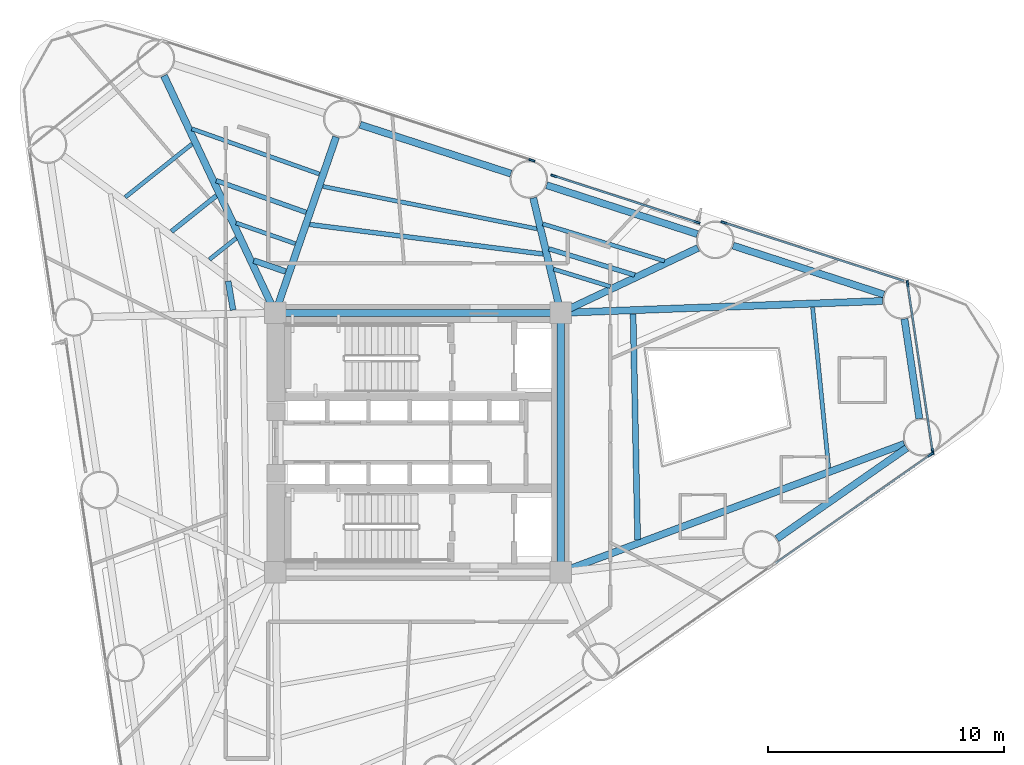
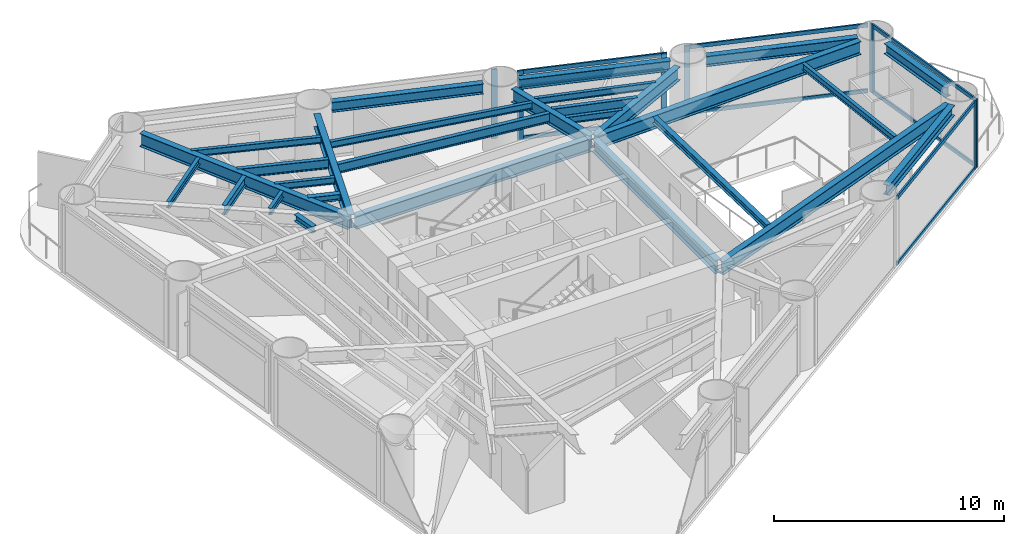
# One storey, part 3 of 9: 28 beams, 16 members, 5 elements without a shape of their own.
"""IFC4 building model written with IfcOpenShell, lengths in metres."""

import ifcopenshell
import ifcopenshell.guid

model = None  # the IFC model being written
_history = None  # IfcOwnerHistory: only IFC2X3 demands one
_inside = {}  # id of a spatial element -> (the spatial element, [elements in it])
_under = {}  # id of a project, library or spatial element -> (it, [spatial elements below it])
_declared = {}  # id of a project -> (the project, [libraries it declares])
_typed = {}  # id of a type object -> (the type object, [elements of that type])
_made_of = {}  # id of a material, layer set ... -> (it, [elements and type objects made of it])


def new_model(schema):
    """Start an empty IFC model of exactly this schema.

    Asked for "IFC4X3", IfcOpenShell would pick the latest addendum, in which some entities
    have other attributes; the version numbers below select the first issue.
    IFC2X3 requires an IfcOwnerHistory on every rooted entity: one is made here for all.
    """
    global model, _history
    if schema == "IFC4X3":
        model = ifcopenshell.file(schema_version=(4, 3, 0, 0))
    else:
        model = ifcopenshell.file(schema=schema)
    _inside.clear()
    _under.clear()
    _declared.clear()
    _typed.clear()
    _made_of.clear()
    _history = None
    if model.schema == "IFC2X3":
        org = make("IfcOrganization", Name="unknown")
        user = make(
            "IfcPersonAndOrganization",
            ThePerson=make("IfcPerson", FamilyName="unknown"),
            TheOrganization=org,
        )
        app = make(
            "IfcApplication",
            ApplicationDeveloper=org,
            Version="unknown",
            ApplicationFullName="unknown",
            ApplicationIdentifier="unknown",
        )
        _history = make(
            "IfcOwnerHistory",
            OwningUser=user,
            OwningApplication=app,
            ChangeAction="ADDED",
            CreationDate=0,
        )
    return model


def make(cls, **values):
    """One entity of the class cls with the attributes given. An attribute that is None is left unset."""
    return model.create_entity(
        cls, **{name: value for name, value in values.items() if value is not None}
    )


def rooted(cls, **values):
    """An entity with a GlobalId (a new one), such as an element, a storey or a relation."""
    return make(cls, GlobalId=ifcopenshell.guid.new(), OwnerHistory=_history, **values)


def si_unit(unit_type, name, prefix=None):
    """IfcSIUnit, for example si_unit("LENGTHUNIT", "METRE", prefix="MILLI")."""
    return make("IfcSIUnit", UnitType=unit_type, Prefix=prefix, Name=name)


def assignment(units):
    """IfcUnitAssignment: the units of a project."""
    return None if units is None else make("IfcUnitAssignment", Units=units)


def point(xyz):
    """IfcCartesianPoint."""
    return None if xyz is None else make("IfcCartesianPoint", Coordinates=xyz)


def direction(xyz):
    """IfcDirection."""
    return None if xyz is None else make("IfcDirection", DirectionRatios=xyz)


def frame(location, z_axis=None, x_axis=None):
    """IfcAxis2Placement3D, a coordinate frame: its origin and axes. An axis left out is left unset."""
    return make(
        "IfcAxis2Placement3D",
        Location=point(location),
        Axis=direction(z_axis),
        RefDirection=direction(x_axis),
    )


def frame_2d(location, x_axis=None):
    """IfcAxis2Placement2D, a coordinate frame in the plane: its origin and x axis."""
    return make(
        "IfcAxis2Placement2D", Location=point(location), RefDirection=direction(x_axis)
    )


def origin():
    """The frame at (0, 0, 0) with its axes left unset."""
    return frame((0.0, 0.0, 0.0))


def origin_2d():
    """The frame at (0, 0) in the plane with its x axis left unset."""
    return frame_2d((0.0, 0.0))


def place(relative_to, where):
    """IfcLocalPlacement: puts the frame where relative to a parent placement (None: the world)."""
    return make(
        "IfcLocalPlacement", PlacementRelTo=relative_to, RelativePlacement=where
    )


def context(
    kind, dimensions, precision=None, world=None, true_north=None, identifier=None
):
    """IfcGeometricRepresentationContext, for example the 3D "Model" context."""
    return make(
        "IfcGeometricRepresentationContext",
        ContextIdentifier=identifier,
        ContextType=kind,
        CoordinateSpaceDimension=dimensions,
        Precision=precision,
        WorldCoordinateSystem=world,
        TrueNorth=true_north,
    )


def subcontext(parent, identifier, kind, view, scale=None):
    """IfcGeometricRepresentationSubContext, for example "Body" below "Model"."""
    return make(
        "IfcGeometricRepresentationSubContext",
        ContextIdentifier=identifier,
        ContextType=kind,
        ParentContext=parent,
        TargetScale=scale,
        TargetView=view,
    )


def project(units=None, contexts=None):
    """IfcProject with its units and contexts."""
    return rooted(
        "IfcProject",
        Name="project",
        RepresentationContexts=contexts,
        UnitsInContext=assignment(units),
    )


def spatial(cls, under=None, at=None, **own):
    """A site, building, storey or space (cls), placed at a placement, below another one or the project."""
    s = rooted(cls, ObjectPlacement=at, **own)
    if under is not None:
        _under.setdefault(under.id(), (under, []))[1].append(s)
    return s


def profile(cls, at=None, kind="AREA", **sizes):
    """A parametric profile (cls). Its sizes go by their IFC names, for example OverallWidth=200.0."""
    return make(cls, ProfileType=kind, Position=at, **sizes)


def rectangle(**sizes):
    """IfcRectangleProfileDef."""
    return profile("IfcRectangleProfileDef", **sizes)


def i_section(**sizes):
    """IfcIShapeProfileDef."""
    return profile("IfcIShapeProfileDef", **sizes)


def extrude(swept, where, along, depth):
    """IfcExtrudedAreaSolid: the profile swept, set in the frame where, extruded along a direction by depth."""
    return make(
        "IfcExtrudedAreaSolid",
        SweptArea=swept,
        Position=where,
        ExtrudedDirection=direction(along),
        Depth=depth,
    )


def shape(context_of_items, identifier, shape_type, items):
    """IfcShapeRepresentation: the items that make up one representation, for example the "Body"."""
    return make(
        "IfcShapeRepresentation",
        ContextOfItems=context_of_items,
        RepresentationIdentifier=identifier,
        RepresentationType=shape_type,
        Items=items,
    )


def source(mapping_origin, context_of_items, identifier, shape_type, items):
    """IfcRepresentationMap: a shape defined once, which mapped items show again and again."""
    return make(
        "IfcRepresentationMap",
        MappingOrigin=mapping_origin,
        MappedRepresentation=shape(context_of_items, identifier, shape_type, items),
    )


def transform(
    local_origin,
    x_axis=None,
    y_axis=None,
    z_axis=None,
    scale=None,
    scale2=None,
    scale3=None,
    uniform=True,
):
    """IfcCartesianTransformationOperator3D, or its non-uniform kind. x_axis, y_axis, z_axis: its Axis1, 2, 3."""
    if uniform:
        return make(
            "IfcCartesianTransformationOperator3D",
            Axis1=direction(x_axis),
            Axis2=direction(y_axis),
            LocalOrigin=point(local_origin),
            Scale=scale,
            Axis3=direction(z_axis),
        )
    return make(
        "IfcCartesianTransformationOperator3DnonUniform",
        Axis1=direction(x_axis),
        Axis2=direction(y_axis),
        LocalOrigin=point(local_origin),
        Scale=scale,
        Axis3=direction(z_axis),
        Scale2=scale2,
        Scale3=scale3,
    )


def mapped(mapping_source, mapping_target):
    """IfcMappedItem: shows the shape of a source again, moved by a transform."""
    return make(
        "IfcMappedItem", MappingSource=mapping_source, MappingTarget=mapping_target
    )


def material(Name=None, Category=None):
    """IfcMaterial."""
    return make("IfcMaterial", Name=Name, Category=Category)


def layer(
    of_material, thickness, ventilated=None, Name=None, Category=None, Priority=None
):
    """IfcMaterialLayer: one layer of a wall or slab, of a material (None: an air gap)."""
    return make(
        "IfcMaterialLayer",
        Material=of_material,
        LayerThickness=thickness,
        IsVentilated=ventilated,
        Name=Name,
        Category=Category,
        Priority=Priority,
    )


def layer_set(layers, Name=None):
    """IfcMaterialLayerSet."""
    return make("IfcMaterialLayerSet", MaterialLayers=layers, LayerSetName=Name)


def material_profile(
    of_material, cross_section, Name=None, Category=None, Priority=None
):
    """IfcMaterialProfile: a cross section and its material."""
    return make(
        "IfcMaterialProfile",
        Name=Name,
        Material=of_material,
        Profile=cross_section,
        Priority=Priority,
        Category=Category,
    )


def profile_set(profiles, Name=None, composite=None):
    """IfcMaterialProfileSet."""
    return make(
        "IfcMaterialProfileSet",
        Name=Name,
        MaterialProfiles=profiles,
        CompositeProfile=composite,
    )


def made_of(thing, what):
    """Note that an element or type object is made of a material, layer set ...; save() writes the relation."""
    if what is not None:
        _made_of.setdefault(what.id(), (what, []))[1].append(thing)
    return thing


def type_object(cls, material=None, **own):
    """A type object (cls), such as IfcWallType, which elements share."""
    return made_of(rooted(cls, **own), material)


def element(
    cls,
    number,
    at=None,
    inside=None,
    cuts=None,
    type_object=None,
    material=None,
    context=None,
    identifier="Body",
    shape_type=None,
    held_by="IfcProductDefinitionShape",
    body=None,
    shapes=None,
    **own,
):
    """One element of the class cls, such as IfcWall. Its Tag is "e" and its number.

    at: its placement. inside: the storey or other place that contains it. cuts: it is an
    opening in that element (IfcRelVoidsElement). A single representation is given by context,
    identifier, shape_type and body (its items); several are given by shapes. held_by: the class
    of the entity that holds the representations. save() writes the other relations.
    """
    e = rooted(cls, Tag="e%d" % number, ObjectPlacement=at, **own)
    if body is not None:
        shapes = [shape(context, identifier, shape_type, body)]
    if shapes is not None:
        e.Representation = make(held_by, Representations=shapes)
    if inside is not None:
        _inside.setdefault(inside.id(), (inside, []))[1].append(e)
    if cuts is not None:
        rooted(
            "IfcRelVoidsElement", RelatingBuildingElement=cuts, RelatedOpeningElement=e
        )
    if type_object is not None:
        _typed.setdefault(type_object.id(), (type_object, []))[1].append(e)
    return made_of(e, material)


def aggregate(whole, parts):
    """IfcRelAggregates: a whole, such as a stair, and the parts it consists of."""
    return rooted("IfcRelAggregates", RelatingObject=whole, RelatedObjects=parts)


def save(model, path):
    """Write the relations noted so far, then the file.

    IfcRelAggregates (storeys below a building ...), IfcRelContainedInSpatialStructure (elements
    in a storey), IfcRelDefinesByType, IfcRelAssociatesMaterial and IfcRelDeclares: one each for
    every whole, place, type object, material and project.
    """
    for whole, parts in _under.values():
        aggregate(whole, parts)
    for where, things in _inside.values():
        rooted(
            "IfcRelContainedInSpatialStructure",
            RelatedElements=things,
            RelatingStructure=where,
        )
    for kind, things in _typed.values():
        rooted("IfcRelDefinesByType", RelatedObjects=things, RelatingType=kind)
    for what, things in _made_of.values():
        rooted("IfcRelAssociatesMaterial", RelatedObjects=things, RelatingMaterial=what)
    for by, libraries in _declared.values():
        rooted("IfcRelDeclares", RelatingContext=by, RelatedDefinitions=libraries)
    model.write(path)


model = new_model("IFC4")

# Units and contexts
model_context = context("Model", 3, precision=1e-05, world=origin(), true_north=direction((0.0, 1.0)))
body_context = subcontext(model_context, "Body", "Model", "MODEL_VIEW")
ifc_project = project(units=[si_unit("LENGTHUNIT", "METRE"), si_unit("AREAUNIT", "SQUARE_METRE"), si_unit("VOLUMEUNIT", "CUBIC_METRE"), si_unit("PLANEANGLEUNIT", "RADIAN"), si_unit("MASSUNIT", "GRAM", prefix="KILO")], contexts=[model_context])

# Site, building, storey
site_placement = place(None, origin())
site = spatial("IfcSite", under=ifc_project, at=site_placement, CompositionType="ELEMENT")
building_placement = place(site_placement, origin())
building = spatial("IfcBuilding", under=site, at=building_placement, Name="Yunling Apex Tower", CompositionType="ELEMENT")
storey_placement = place(building_placement, frame((0.0, 0.0, 77.300048828125)))
storey = spatial("IfcBuildingStorey", under=building, at=storey_placement, Name="L20", CompositionType="ELEMENT", Elevation=77.300048828125)

# Beams
ifc_material_1 = material(Name="Steel Q355B", Category="steel")
ifc_material_profile_1 = material_profile(ifc_material_1, i_section(OverallWidth=0.300048828125, OverallDepth=0.699951171875, WebThickness=0.012939453125, FlangeThickness=0.02392578125, FilletRadius=0.02587890625, at=origin_2d()))
ifc_profile_set_1 = profile_set([ifc_material_profile_1], Name="Steel Q355B")
beam_type_1 = type_object("IfcBeamType", Name="BG-PRI-3", PredefinedType="USERDEFINED", material=ifc_profile_set_1)
shared_shape_1 = source(origin(), body_context, "Body", "SweptSolid", [
    extrude(i_section(OverallWidth=0.300048828125, OverallDepth=0.699951171875, WebThickness=0.012939453125, FlangeThickness=0.02392578125, FilletRadius=0.02587890625, at=origin_2d()), origin(), (0.0, 0.0, 1.0), 11.7998046875),
])
beam_1_placement = place(storey_placement, frame((5.89990234375, 5.5, 3.21484375), z_axis=(-1.0, 0.0, 0.0), x_axis=(0.0, -1.0, 0.0)))
element("IfcBeam", 1, at=beam_1_placement, inside=storey, type_object=beam_type_1, Name="L20 Core Ring Tie Beam 3", ObjectType="GIRDER", PredefinedType="USERDEFINED", context=body_context, shape_type="MappedRepresentation", body=[
    mapped(shared_shape_1, transform((0.0, 0.0, 0.0), scale=1.0)),
])
shared_shape_2 = source(origin(), body_context, "Body", "SweptSolid", [
    extrude(i_section(OverallWidth=0.300048828125, OverallDepth=0.699951171875, WebThickness=0.012939453125, FlangeThickness=0.02392578125, FilletRadius=0.02587890625, at=origin_2d()), origin(), (0.0, 0.0, 1.0), 10.7001953125),
])
beam_2_placement = place(storey_placement, frame((6.050048828125, -5.35009765625, 3.21484375), z_axis=(0.0, 1.0, 0.0), x_axis=(-1.0, 0.0, 0.0)))
element("IfcBeam", 2, at=beam_2_placement, inside=storey, type_object=beam_type_1, Name="L20 Core Ring Tie Beam 2", ObjectType="GIRDER", PredefinedType="USERDEFINED", context=body_context, shape_type="MappedRepresentation", body=[
    mapped(shared_shape_2, transform((0.0, 0.0, 0.0), scale=1.0)),
])
ifc_material_profile_2 = material_profile(ifc_material_1, i_section(OverallWidth=0.300048828125, OverallDepth=0.5400390625, WebThickness=0.011962890625, FlangeThickness=0.02001953125, FilletRadius=0.02392578125, at=origin_2d()))
ifc_profile_set_2 = profile_set([ifc_material_profile_2], Name="Steel Q355B")
beam_type_2 = type_object("IfcBeamType", Name="BP-SPN-1", PredefinedType="SPANDREL", material=ifc_profile_set_2)
shared_shape_3 = source(origin(), body_context, "Body", "SweptSolid", [
    extrude(i_section(OverallWidth=0.300048828125, OverallDepth=0.5400390625, WebThickness=0.011962890625, FlangeThickness=0.02001953125, FilletRadius=0.02392578125, at=origin_2d()), origin(), (0.0, 0.0, 1.0), 6.721435546875),
])
for number, where, z_axis, x_axis, name in (
    (3, (15.212158203125, -4.08056640625, 3.294921875), (0.81955772083, 0.572996633697, 0.0), (-0.572996633697, 0.81955772083, 0.0), "L20 Perimeter Spandrel Beam 4"),
    (4, (19.748291015625, 6.277099609375, 3.294921875), (-0.95126256707, 0.308382114415, 0.0), (-0.308382114415, -0.95126256707, 0.0), "L20 Perimeter Spandrel Beam 6"),
    (5, (3.939453125, 11.401611328125, 3.294921875), (-0.95126256707, 0.308382114415, 0.0), (-0.308382114415, -0.95126256707, 0.0), "L20 Perimeter Spandrel Beam 8"),
):
    element("IfcBeam", number, at=place(storey_placement, frame(where, z_axis=z_axis, x_axis=x_axis)), inside=storey, type_object=beam_type_2, Name=name, PredefinedType="SPANDREL", context=body_context, shape_type="MappedRepresentation", body=[
        mapped(shared_shape_3, transform((0.0, 0.0, 0.0), scale=1.0)),
    ])
shared_shape_4 = source(origin(), body_context, "Body", "SweptSolid", [
    extrude(i_section(OverallWidth=0.300048828125, OverallDepth=0.5400390625, WebThickness=0.011962890625, FlangeThickness=0.02001953125, FilletRadius=0.02392578125, at=origin_2d()), origin(), (0.0, 0.0, 1.0), 4.283203125),
])
beam_3_placement = place(storey_placement, frame((21.25390625, 1.010986328125, 3.294921875), z_axis=(-0.147802479388, 0.989016899293, 0.0), x_axis=(-0.989016899293, -0.147802479388, 0.0)))
element("IfcBeam", 6, at=beam_3_placement, inside=storey, type_object=beam_type_2, Name="L20 Perimeter Spandrel Beam 5", PredefinedType="SPANDREL", context=body_context, shape_type="MappedRepresentation", body=[
    mapped(shared_shape_4, transform((0.0, 0.0, 0.0), scale=1.0)),
])
shared_shape_5 = source(origin(), body_context, "Body", "SweptSolid", [
    extrude(i_section(OverallWidth=0.300048828125, OverallDepth=0.5400390625, WebThickness=0.011962890625, FlangeThickness=0.02001953125, FilletRadius=0.02392578125, at=origin_2d()), origin(), (0.0, 0.0, 1.0), 6.72119140625),
])
beam_4_placement = place(storey_placement, frame((11.84375, 8.83935546875, 3.294921875), z_axis=(-0.951259112593, 0.308392770197, 0.0), x_axis=(-0.308392770197, -0.951259112593, 0.0)))
element("IfcBeam", 7, at=beam_4_placement, inside=storey, type_object=beam_type_2, Name="L20 Perimeter Spandrel Beam 7", PredefinedType="SPANDREL", context=body_context, shape_type="MappedRepresentation", body=[
    mapped(shared_shape_5, transform((0.0, 0.0, 0.0), scale=1.0)),
])
shared_shape_6 = source(origin(), body_context, "Body", "SweptSolid", [
    extrude(i_section(OverallWidth=0.300048828125, OverallDepth=0.699951171875, WebThickness=0.012939453125, FlangeThickness=0.02392578125, FilletRadius=0.02587890625, at=origin_2d()), origin(), (0.0, 0.0, 1.0), 15.46826171875),
])
beam_5_placement = place(storey_placement, frame((20.614501953125, -0.05712890625, 3.21484375), z_axis=(-0.936727481876, -0.350059458804, 0.0), x_axis=(0.350059458804, -0.936727481876, 0.0)))
element("IfcBeam", 8, at=beam_5_placement, inside=storey, type_object=beam_type_1, Name="L20 Radial Primary Girder R05", ObjectType="GIRDER", PredefinedType="USERDEFINED", context=body_context, shape_type="MappedRepresentation", body=[
    mapped(shared_shape_6, transform((0.0, 0.0, 0.0), scale=1.0)),
])
shared_shape_7 = source(origin(), body_context, "Body", "SweptSolid", [
    extrude(i_section(OverallWidth=0.300048828125, OverallDepth=0.699951171875, WebThickness=0.012939453125, FlangeThickness=0.02392578125, FilletRadius=0.02587890625, at=origin_2d()), origin(), (0.0, 0.0, 1.0), 13.575439453125),
])
beam_6_placement = place(storey_placement, frame((19.696044921875, 6.002685546875, 3.21484375), z_axis=(-0.99932215556, -0.036813440575, 0.0), x_axis=(0.036813440575, -0.99932215556, 0.0)))
element("IfcBeam", 9, at=beam_6_placement, inside=storey, type_object=beam_type_1, Name="L20 Radial Primary Girder R06", ObjectType="GIRDER", PredefinedType="USERDEFINED", context=body_context, shape_type="MappedRepresentation", body=[
    mapped(shared_shape_7, transform((0.0, 0.0, 0.0), scale=1.0)),
])
shared_shape_8 = source(origin(), body_context, "Body", "SweptSolid", [
    extrude(i_section(OverallWidth=0.300048828125, OverallDepth=0.699951171875, WebThickness=0.012939453125, FlangeThickness=0.02392578125, FilletRadius=0.02587890625, at=origin_2d()), origin(), (0.0, 0.0, 1.0), 6.35546875),
])
beam_7_placement = place(storey_placement, frame((11.86865234375, 8.24951171875, 3.21484375), z_axis=(-0.90414025985, -0.427235755196, 0.0), x_axis=(0.427235755196, -0.90414025985, 0.0)))
element("IfcBeam", 10, at=beam_7_placement, inside=storey, type_object=beam_type_1, Name="L20 Radial Primary Girder R07", ObjectType="GIRDER", PredefinedType="USERDEFINED", context=body_context, shape_type="MappedRepresentation", body=[
    mapped(shared_shape_8, transform((0.0, 0.0, 0.0), scale=1.0)),
])
shared_shape_9 = source(origin(), body_context, "Body", "SweptSolid", [
    extrude(i_section(OverallWidth=0.300048828125, OverallDepth=0.699951171875, WebThickness=0.012939453125, FlangeThickness=0.02392578125, FilletRadius=0.02587890625, at=origin_2d()), origin(), (0.0, 0.0, 1.0), 4.928955078125),
])
beam_8_placement = place(storey_placement, frame((4.883056640625, 10.37109375, 3.21484375), z_axis=(0.233002001977, -0.972476255276, 0.0), x_axis=(0.972476255276, 0.233002001977, 0.0)))
element("IfcBeam", 11, at=beam_8_placement, inside=storey, type_object=beam_type_1, Name="L20 Radial Primary Girder R08", ObjectType="GIRDER", PredefinedType="USERDEFINED", context=body_context, shape_type="MappedRepresentation", body=[
    mapped(shared_shape_9, transform((0.0, 0.0, 0.0), scale=1.0)),
])
shared_shape_10 = source(origin(), body_context, "Body", "SweptSolid", [
    extrude(i_section(OverallWidth=0.300048828125, OverallDepth=0.699951171875, WebThickness=0.012939453125, FlangeThickness=0.02392578125, FilletRadius=0.02587890625, at=origin_2d()), origin(), (0.0, 0.0, 1.0), 7.807861328125),
])
beam_9_placement = place(storey_placement, frame((-3.473388671875, 12.955322265625, 3.21484375), z_axis=(-0.326658398033, -0.945142471268, 0.0), x_axis=(0.945142471268, -0.326658398033, 0.0)))
element("IfcBeam", 12, at=beam_9_placement, inside=storey, type_object=beam_type_1, Name="L20 Radial Primary Girder R09", ObjectType="GIRDER", PredefinedType="USERDEFINED", context=body_context, shape_type="MappedRepresentation", body=[
    mapped(shared_shape_10, transform((0.0, 0.0, 0.0), scale=1.0)),
])
shared_shape_11 = source(origin(), body_context, "Body", "SweptSolid", [
    extrude(i_section(OverallWidth=0.300048828125, OverallDepth=0.699951171875, WebThickness=0.012939453125, FlangeThickness=0.02392578125, FilletRadius=0.02587890625, at=origin_2d()), origin(), (0.0, 0.0, 1.0), 11.0234375),
])
beam_10_placement = place(storey_placement, frame((-10.7705078125, 15.550048828125, 3.21484375), z_axis=(0.425144169149, -0.905125646216, 0.0), x_axis=(0.905125646216, 0.425144169149, 0.0)))
element("IfcBeam", 13, at=beam_10_placement, inside=storey, type_object=beam_type_1, Name="L20 Radial Primary Girder R10", ObjectType="GIRDER", PredefinedType="USERDEFINED", context=body_context, shape_type="MappedRepresentation", body=[
    mapped(shared_shape_11, transform((0.0, 0.0, 0.0), scale=1.0)),
])
ifc_material_profile_3 = material_profile(ifc_material_1, i_section(OverallWidth=0.175048828125, OverallDepth=0.35009765625, WebThickness=0.007080078125, FlangeThickness=0.010986328125, FilletRadius=0.013916015625, at=origin_2d()))
ifc_profile_set_3 = profile_set([ifc_material_profile_3], Name="Steel Q355B")
beam_type_3 = type_object("IfcBeamType", Name="BJ-JST-1", PredefinedType="JOIST", material=ifc_profile_set_3)
shared_shape_12 = source(origin(), body_context, "Body", "SweptSolid", [
    extrude(i_section(OverallWidth=0.175048828125, OverallDepth=0.35009765625, WebThickness=0.007080078125, FlangeThickness=0.010986328125, FilletRadius=0.013916015625, at=origin_2d()), origin(), (0.0, 0.0, 1.0), 6.856689453125),
])
beam_11_placement = place(storey_placement, frame((17.410888671875, -1.089111328125, 3.389892578125), z_axis=(-0.099697612772, 0.995017781754, 0.0), x_axis=(-0.995017781754, -0.099697612772, 0.0)))
element("IfcBeam", 14, at=beam_11_placement, inside=storey, type_object=beam_type_3, Name="L20 Composite Floor Joist BJ1-5", PredefinedType="JOIST", context=body_context, shape_type="MappedRepresentation", body=[
    mapped(shared_shape_12, transform((0.0, 0.0, 0.0), scale=1.0)),
])
ifc_material_profile_4 = material_profile(ifc_material_1, i_section(OverallWidth=0.25, OverallDepth=0.340087890625, WebThickness=0.009033203125, FlangeThickness=0.013916015625, FilletRadius=0.01806640625, at=origin_2d()))
ifc_profile_set_4 = profile_set([ifc_material_profile_4], Name="Steel Q355B")
beam_type_4 = type_object("IfcBeamType", Name="BJ-JST-2", PredefinedType="JOIST", material=ifc_profile_set_4)
shared_shape_13 = source(origin(), body_context, "Body", "SweptSolid", [
    extrude(i_section(OverallWidth=0.25, OverallDepth=0.340087890625, WebThickness=0.009033203125, FlangeThickness=0.013916015625, FilletRadius=0.01806640625, at=origin_2d()), origin(), (0.0, 0.0, 1.0), 9.57568359375),
])
beam_12_placement = place(storey_placement, frame((9.309326171875, -4.120849609375, 3.39501953125), z_axis=(-0.020014350968, 0.999799692816, 0.0), x_axis=(-0.999799692816, -0.020014350968, 0.0)))
element("IfcBeam", 15, at=beam_12_placement, inside=storey, type_object=beam_type_4, Name="L20 Composite Floor Joist BJ2-5", PredefinedType="JOIST", context=body_context, shape_type="MappedRepresentation", body=[
    mapped(shared_shape_13, transform((0.0, 0.0, 0.0), scale=1.0)),
])
ifc_material_profile_5 = material_profile(ifc_material_1, i_section(OverallWidth=0.199951171875, OverallDepth=0.5, WebThickness=0.010009765625, FlangeThickness=0.01611328125, FilletRadius=0.02001953125, at=origin_2d()))
ifc_profile_set_5 = profile_set([ifc_material_profile_5], Name="Steel Q355B")
beam_type_5 = type_object("IfcBeamType", Name="BS-SEC-2", PredefinedType="BEAM", material=ifc_profile_set_5)
shared_shape_14 = source(origin(), body_context, "Body", "SweptSolid", [
    extrude(i_section(OverallWidth=0.199951171875, OverallDepth=0.5, WebThickness=0.010009765625, FlangeThickness=0.01611328125, FilletRadius=0.02001953125, at=origin_2d()), origin(), (0.0, 0.0, 1.0), 3.812255859375),
])
beam_13_placement = place(storey_placement, frame((9.187255859375, 7.1015625, 3.31494140625), z_axis=(-0.956390339833, 0.292091625819, 0.0), x_axis=(-0.292091625819, -0.956390339833, 0.0)))
element("IfcBeam", 16, at=beam_13_placement, inside=storey, type_object=beam_type_5, Name="L20 Composite Floor Beam BS-7", PredefinedType="BEAM", context=body_context, shape_type="MappedRepresentation", body=[
    mapped(shared_shape_14, transform((0.0, 0.0, 0.0), scale=1.0)),
])
shared_shape_15 = source(origin(), body_context, "Body", "SweptSolid", [
    extrude(i_section(OverallWidth=0.175048828125, OverallDepth=0.35009765625, WebThickness=0.007080078125, FlangeThickness=0.010986328125, FilletRadius=0.013916015625, at=origin_2d()), origin(), (0.0, 0.0, 1.0), 5.396484375),
])
beam_14_placement = place(storey_placement, frame((10.451416015625, 7.698486328125, 3.389892578125), z_axis=(-0.95665799, 0.291213822077, 0.0), x_axis=(-0.291213822077, -0.95665799, 0.0)))
element("IfcBeam", 17, at=beam_14_placement, inside=storey, type_object=beam_type_3, Name="L20 Composite Floor Joist BJ1-7", PredefinedType="JOIST", context=body_context, shape_type="MappedRepresentation", body=[
    mapped(shared_shape_15, transform((0.0, 0.0, 0.0), scale=1.0)),
])
shared_shape_16 = source(origin(), body_context, "Body", "SweptSolid", [
    extrude(i_section(OverallWidth=0.175048828125, OverallDepth=0.35009765625, WebThickness=0.007080078125, FlangeThickness=0.010986328125, FilletRadius=0.013916015625, at=origin_2d()), origin(), (0.0, 0.0, 1.0), 2.516357421875),
])
beam_15_placement = place(storey_placement, frame((8.153076171875, 6.613037109375, 3.389892578125), z_axis=(-0.955871264671, 0.293785849515, 0.0), x_axis=(-0.293785849515, -0.955871264671, 0.0)))
element("IfcBeam", 18, at=beam_15_placement, inside=storey, type_object=beam_type_3, Name="L20 Composite Floor Joist BJ3-7", PredefinedType="JOIST", context=body_context, shape_type="MappedRepresentation", body=[
    mapped(shared_shape_16, transform((0.0, 0.0, 0.0), scale=1.0)),
])
shared_shape_17 = source(origin(), body_context, "Body", "SweptSolid", [
    extrude(i_section(OverallWidth=0.199951171875, OverallDepth=0.5, WebThickness=0.010009765625, FlangeThickness=0.01611328125, FilletRadius=0.02001953125, at=origin_2d()), origin(), (0.0, 0.0, 1.0), 9.967529296875),
])
beam_16_placement = place(storey_placement, frame((5.298583984375, 7.994384765625, 3.31494140625), z_axis=(-0.992092895005, 0.125505727681, 0.0), x_axis=(-0.125505727681, -0.992092895005, 0.0)))
element("IfcBeam", 19, at=beam_16_placement, inside=storey, type_object=beam_type_5, Name="L20 Composite Floor Beam BS-8", PredefinedType="BEAM", context=body_context, shape_type="MappedRepresentation", body=[
    mapped(shared_shape_17, transform((0.0, 0.0, 0.0), scale=1.0)),
])
shared_shape_18 = source(origin(), body_context, "Body", "SweptSolid", [
    extrude(i_section(OverallWidth=0.175048828125, OverallDepth=0.35009765625, WebThickness=0.007080078125, FlangeThickness=0.010986328125, FilletRadius=0.013916015625, at=origin_2d()), origin(), (0.0, 0.0, 1.0), 9.254638671875),
])
beam_17_placement = place(storey_placement, frame((5.047607421875, 9.06005859375, 3.389892578125), z_axis=(-0.98094926536, 0.194264095472, 0.0), x_axis=(-0.194264095472, -0.98094926536, 0.0)))
element("IfcBeam", 20, at=beam_17_placement, inside=storey, type_object=beam_type_3, Name="L20 Composite Floor Joist BJ1-8", PredefinedType="JOIST", context=body_context, shape_type="MappedRepresentation", body=[
    mapped(shared_shape_18, transform((0.0, 0.0, 0.0), scale=1.0)),
])
shared_shape_19 = source(origin(), body_context, "Body", "SweptSolid", [
    extrude(i_section(OverallWidth=0.199951171875, OverallDepth=0.5, WebThickness=0.010009765625, FlangeThickness=0.01611328125, FilletRadius=0.02001953125, at=origin_2d()), origin(), (0.0, 0.0, 1.0), 4.04150390625),
])
beam_18_placement = place(storey_placement, frame((-4.74658203125, 9.761474609375, 3.31494140625), z_axis=(-0.942979180686, 0.332851715924, 0.0), x_axis=(-0.332851715924, -0.942979180686, 0.0)))
element("IfcBeam", 21, at=beam_18_placement, inside=storey, type_object=beam_type_5, Name="L20 Composite Floor Beam BS-9", PredefinedType="BEAM", context=body_context, shape_type="MappedRepresentation", body=[
    mapped(shared_shape_19, transform((0.0, 0.0, 0.0), scale=1.0)),
])
shared_shape_20 = source(origin(), body_context, "Body", "SweptSolid", [
    extrude(i_section(OverallWidth=0.175048828125, OverallDepth=0.35009765625, WebThickness=0.007080078125, FlangeThickness=0.010986328125, FilletRadius=0.013916015625, at=origin_2d()), origin(), (0.0, 0.0, 1.0), 5.733154296875),
])
beam_19_placement = place(storey_placement, frame((-4.185302734375, 11.38525390625, 3.389892578125), z_axis=(-0.942485311423, 0.334247569553, 0.0), x_axis=(-0.334247569553, -0.942485311423, 0.0)))
element("IfcBeam", 22, at=beam_19_placement, inside=storey, type_object=beam_type_3, Name="L20 Composite Floor Joist BJ1-9", PredefinedType="JOIST", context=body_context, shape_type="MappedRepresentation", body=[
    mapped(shared_shape_20, transform((0.0, 0.0, 0.0), scale=1.0)),
])
shared_shape_21 = source(origin(), body_context, "Body", "SweptSolid", [
    extrude(i_section(OverallWidth=0.175048828125, OverallDepth=0.35009765625, WebThickness=0.007080078125, FlangeThickness=0.010986328125, FilletRadius=0.013916015625, at=origin_2d()), origin(), (0.0, 0.0, 1.0), 2.657470703125),
])
beam_20_placement = place(storey_placement, frame((-5.205810546875, 8.432861328125, 3.389892578125), z_axis=(-0.943816811427, 0.330469100623, 0.0), x_axis=(-0.330469100623, -0.943816811427, 0.0)))
element("IfcBeam", 23, at=beam_20_placement, inside=storey, type_object=beam_type_3, Name="L20 Composite Floor Joist BJ3-9", PredefinedType="JOIST", context=body_context, shape_type="MappedRepresentation", body=[
    mapped(shared_shape_21, transform((0.0, 0.0, 0.0), scale=1.0)),
])
shared_shape_22 = source(origin(), body_context, "Body", "SweptSolid", [
    extrude(i_section(OverallWidth=0.25, OverallDepth=0.340087890625, WebThickness=0.009033203125, FlangeThickness=0.013916015625, FilletRadius=0.01806640625, at=origin_2d()), origin(), (0.0, 0.0, 1.0), 1.42724609375),
])
beam_21_placement = place(storey_placement, frame((-5.614013671875, 7.251220703125, 3.39501953125), z_axis=(-0.94564715029, 0.325194506639, 0.0), x_axis=(-0.325194506639, -0.94564715029, 0.0)))
element("IfcBeam", 24, at=beam_21_placement, inside=storey, type_object=beam_type_4, Name="L20 Composite Floor Joist BJ2-9", PredefinedType="JOIST", context=body_context, shape_type="MappedRepresentation", body=[
    mapped(shared_shape_22, transform((0.0, 0.0, 0.0), scale=1.0)),
])
shared_shape_23 = source(origin(), body_context, "Body", "SweptSolid", [
    extrude(i_section(OverallWidth=0.199951171875, OverallDepth=0.5, WebThickness=0.010009765625, FlangeThickness=0.01611328125, FilletRadius=0.02001953125, at=origin_2d()), origin(), (0.0, 0.0, 1.0), 2.4287109375),
])
beam_22_placement = place(storey_placement, frame((-8.552490234375, 10.46142578125, 3.31494140625), z_axis=(-0.782093234133, -0.62316143424, 0.0), x_axis=(0.62316143424, -0.782093234133, 0.0)))
element("IfcBeam", 25, at=beam_22_placement, inside=storey, type_object=beam_type_5, Name="L20 Composite Floor Beam BS-10", PredefinedType="BEAM", context=body_context, shape_type="MappedRepresentation", body=[
    mapped(shared_shape_23, transform((0.0, 0.0, 0.0), scale=1.0)),
])
shared_shape_24 = source(origin(), body_context, "Body", "SweptSolid", [
    extrude(i_section(OverallWidth=0.175048828125, OverallDepth=0.35009765625, WebThickness=0.007080078125, FlangeThickness=0.010986328125, FilletRadius=0.013916015625, at=origin_2d()), origin(), (0.0, 0.0, 1.0), 3.62060546875),
])
beam_23_placement = place(storey_placement, frame((-9.58349609375, 12.656494140625, 3.389892578125), z_axis=(-0.782123735438, -0.623123151925, 0.0), x_axis=(0.623123151925, -0.782123735438, 0.0)))
element("IfcBeam", 26, at=beam_23_placement, inside=storey, type_object=beam_type_3, Name="L20 Composite Floor Joist BJ1-10", PredefinedType="JOIST", context=body_context, shape_type="MappedRepresentation", body=[
    mapped(shared_shape_24, transform((0.0, 0.0, 0.0), scale=1.0)),
])
shared_shape_25 = source(origin(), body_context, "Body", "SweptSolid", [
    extrude(i_section(OverallWidth=0.175048828125, OverallDepth=0.35009765625, WebThickness=0.007080078125, FlangeThickness=0.010986328125, FilletRadius=0.013916015625, at=origin_2d()), origin(), (0.0, 0.0, 1.0), 1.453369140625),
])
beam_24_placement = place(storey_placement, frame((-7.708740234375, 8.66552734375, 3.389892578125), z_axis=(-0.78201477261, -0.62325989396, 0.0), x_axis=(0.62325989396, -0.78201477261, 0.0)))
element("IfcBeam", 27, at=beam_24_placement, inside=storey, type_object=beam_type_3, Name="L20 Composite Floor Joist BJ3-10", PredefinedType="JOIST", context=body_context, shape_type="MappedRepresentation", body=[
    mapped(shared_shape_25, transform((0.0, 0.0, 0.0), scale=1.0)),
])
shared_shape_26 = source(origin(), body_context, "Body", "SweptSolid", [
    extrude(i_section(OverallWidth=0.25, OverallDepth=0.340087890625, WebThickness=0.009033203125, FlangeThickness=0.013916015625, FilletRadius=0.01806640625, at=origin_2d()), origin(), (0.0, 0.0, 1.0), 1.242431640625),
])
beam_25_placement = place(storey_placement, frame((-8.05078125, 6.84228515625, 3.39501953125), z_axis=(0.168412893697, -0.985716540004, 0.0), x_axis=(0.985716540004, 0.168412893697, 0.0)))
element("IfcBeam", 28, at=beam_25_placement, inside=storey, type_object=beam_type_4, Name="L20 Composite Floor Joist BJ2-11", PredefinedType="JOIST", context=body_context, shape_type="MappedRepresentation", body=[
    mapped(shared_shape_26, transform((0.0, 0.0, 0.0), scale=1.0)),
])

# Curtain wall, member
ifc_material_2 = material(Name="Bronze anodised aluminium", Category="aluminium")
ifc_layer = layer(ifc_material_2, 0.260009765625)
ifc_layer_set = layer_set([ifc_layer], Name="Bronze anodised aluminium")
curtain_wall_type = type_object("IfcCurtainWallType", Name="CW-SYS-2", PredefinedType="NOTDEFINED", material=ifc_layer_set)
curtain_wall_1_placement = place(storey_placement, origin())
curtain_wall_1 = element("IfcCurtainWall", 29, at=curtain_wall_1_placement, inside=storey, type_object=curtain_wall_type, Name="CW-L20-F1-B4", PredefinedType="NOTDEFINED")
ifc_material_profile_6 = material_profile(ifc_material_2, rectangle(XDim=0.0849609375, YDim=0.260009765625, at=origin_2d()))
ifc_profile_set_6 = profile_set([ifc_material_profile_6], Name="Bronze anodised aluminium")
member_type_1 = type_object("IfcMemberType", Name="CW-MUL-2", PredefinedType="MULLION", material=ifc_profile_set_6)
shared_shape_27 = source(origin(), body_context, "Body", "SweptSolid", [
    extrude(rectangle(XDim=0.0849609375, YDim=0.260009765625, at=origin_2d()), origin(), (0.0, 0.0, 1.0), 3.6650390625),
])
member_1_placement = place(storey_placement, frame((21.735107421875, -0.50830078125, -0.050048828125), z_axis=(0.0, 0.0, 1.0), x_axis=(-0.573004358875, 0.819552319691, 0.0)))
member_1 = element("IfcMember", 30, at=member_1_placement, type_object=member_type_1, Name="CW-SYS-2 mullion 2", PredefinedType="MULLION", context=body_context, shape_type="MappedRepresentation", body=[
    mapped(shared_shape_27, transform((0.0, 0.0, 0.0), scale=1.0)),
])

# Curtain wall, members
curtain_wall_2_placement = place(storey_placement, origin())
curtain_wall_2 = element("IfcCurtainWall", 31, at=curtain_wall_2_placement, inside=storey, type_object=curtain_wall_type, Name="CW-L20-CRN1", PredefinedType="NOTDEFINED")
member_2_placement = place(storey_placement, frame((21.817626953125, -0.379638671875, -0.050048828125), z_axis=(0.0, 0.0, 1.0), x_axis=(-0.989017551472, -0.147798115278, 0.0)))
member_2 = element("IfcMember", 32, at=member_2_placement, type_object=member_type_1, Name="CW-SYS-2 mullion 1", PredefinedType="MULLION", context=body_context, shape_type="MappedRepresentation", body=[
    mapped(shared_shape_27, transform((0.0, 0.0, 0.0), scale=1.0)),
])
member_3_placement = place(storey_placement, frame((20.75341796875, 6.741943359375, -0.050048828125), z_axis=(0.0, 0.0, 1.0), x_axis=(-0.989017551472, -0.147798115278, 0.0)))
member_3 = element("IfcMember", 33, at=member_3_placement, type_object=member_type_1, Name="CW-SYS-2 mullion 2", PredefinedType="MULLION", context=body_context, shape_type="MappedRepresentation", body=[
    mapped(shared_shape_27, transform((0.0, 0.0, 0.0), scale=1.0)),
])

# Curtain wall, member
curtain_wall_3_placement = place(storey_placement, origin())
curtain_wall_3 = element("IfcCurtainWall", 34, at=curtain_wall_3_placement, inside=storey, type_object=curtain_wall_type, Name="CW-L20-F2-B1", PredefinedType="NOTDEFINED")
member_4_placement = place(storey_placement, frame((12.96533203125, 9.327392578125, -0.050048828125), z_axis=(0.0, 0.0, 1.0), x_axis=(-0.30835735341, -0.951270593784, 0.0)))
member_4 = element("IfcMember", 35, at=member_4_placement, type_object=member_type_1, Name="CW-SYS-2 mullion 2", PredefinedType="MULLION", context=body_context, shape_type="MappedRepresentation", body=[
    mapped(shared_shape_27, transform((0.0, 0.0, 0.0), scale=1.0)),
])

# Curtain wall, members
curtain_wall_4_placement = place(storey_placement, origin())
curtain_wall_4 = element("IfcCurtainWall", 36, at=curtain_wall_4_placement, inside=storey, type_object=curtain_wall_type, Name="CW-L20-F2-B2", PredefinedType="NOTDEFINED")
member_5_placement = place(storey_placement, frame((11.828369140625, 9.338623046875, -0.050048828125), z_axis=(0.0, 0.0, 1.0), x_axis=(-0.308351975608, -0.951272336999, 0.0)))
member_5 = element("IfcMember", 37, at=member_5_placement, type_object=member_type_1, Name="CW-SYS-2 mullion 1", PredefinedType="MULLION", context=body_context, shape_type="MappedRepresentation", body=[
    mapped(shared_shape_27, transform((0.0, 0.0, 0.0), scale=1.0)),
])
member_6_placement = place(storey_placement, frame((5.75537109375, 11.30712890625, -0.050048828125), z_axis=(0.0, 0.0, 1.0), x_axis=(-0.308351975608, -0.951272336999, 0.0)))
member_6 = element("IfcMember", 38, at=member_6_placement, type_object=member_type_1, Name="CW-SYS-2 mullion 2", PredefinedType="MULLION", context=body_context, shape_type="MappedRepresentation", body=[
    mapped(shared_shape_27, transform((0.0, 0.0, 0.0), scale=1.0)),
])

# Curtain wall, member
curtain_wall_5_placement = place(storey_placement, origin())
curtain_wall_5 = element("IfcCurtainWall", 39, at=curtain_wall_5_placement, inside=storey, type_object=curtain_wall_type, Name="CW-L20-F2-B3", PredefinedType="NOTDEFINED")
member_7_placement = place(storey_placement, frame((4.827880859375, 11.965087890625, -0.050048828125), z_axis=(0.0, 0.0, 1.0), x_axis=(-0.308368457544, -0.951266994272, 0.0)))
member_7 = element("IfcMember", 40, at=member_7_placement, type_object=member_type_1, Name="CW-SYS-2 mullion 1", PredefinedType="MULLION", context=body_context, shape_type="MappedRepresentation", body=[
    mapped(shared_shape_27, transform((0.0, 0.0, 0.0), scale=1.0)),
])
aggregate(curtain_wall_5, [member_7])

# Member
ifc_material_profile_7 = material_profile(ifc_material_2, rectangle(XDim=0.0849609375, YDim=0.199951171875, at=origin_2d()))
ifc_profile_set_7 = profile_set([ifc_material_profile_7], Name="Bronze anodised aluminium")
member_type_2 = type_object("IfcMemberType", Name="CW-TRN-2", PredefinedType="USERDEFINED", material=ifc_profile_set_7)
shared_shape_28 = source(origin(), body_context, "Body", "SweptSolid", [
    extrude(rectangle(XDim=0.0849609375, YDim=0.199951171875, at=origin_2d()), origin(), (0.0, 0.0, 1.0), 6.3076171875),
])
member_8_placement = place(storey_placement, frame((11.7919921875, 9.350341796875, 0.04248046875), z_axis=(-0.951267321757, 0.308367447306, 0.0), x_axis=(-0.308367447306, -0.951267321757, 0.0)))
member_8 = element("IfcMember", 41, at=member_8_placement, type_object=member_type_2, Name="CW-SYS-2 transom 1.1", ObjectType="TRANSOM", PredefinedType="USERDEFINED", context=body_context, shape_type="MappedRepresentation", body=[
    mapped(shared_shape_28, transform((0.0, 0.0, 0.0), scale=1.0)),
])

member_9_placement = place(storey_placement, frame((11.7919921875, 9.350341796875, 2.71484375), z_axis=(-0.951267321757, 0.308367447306, 0.0), x_axis=(-0.308367447306, -0.951267321757, 0.0)))
member_9 = element("IfcMember", 42, at=member_9_placement, type_object=member_type_2, Name="CW-SYS-2 transom 1.2", ObjectType="TRANSOM", PredefinedType="USERDEFINED", context=body_context, shape_type="MappedRepresentation", body=[
    mapped(shared_shape_28, transform((0.0, 0.0, 0.0), scale=1.0)),
])

member_10_placement = place(storey_placement, frame((11.7919921875, 9.350341796875, 3.5224609375), z_axis=(-0.951267321757, 0.308367447306, 0.0), x_axis=(-0.308367447306, -0.951267321757, 0.0)))
member_10 = element("IfcMember", 43, at=member_10_placement, type_object=member_type_2, Name="CW-SYS-2 transom 1.3", ObjectType="TRANSOM", PredefinedType="USERDEFINED", context=body_context, shape_type="MappedRepresentation", body=[
    mapped(shared_shape_28, transform((0.0, 0.0, 0.0), scale=1.0)),
])

aggregate(curtain_wall_4, [member_5, member_6, member_8, member_9, member_10])

shared_shape_29 = source(origin(), body_context, "Body", "SweptSolid", [
    extrude(rectangle(XDim=0.0849609375, YDim=0.199951171875, at=origin_2d()), origin(), (0.0, 0.0, 1.0), 7.98779296875),
])
member_11_placement = place(storey_placement, frame((15.1572265625, -5.107177734375, 0.04248046875), z_axis=(0.819559176955, 0.572994550995, 0.0), x_axis=(-0.572994550995, 0.819559176955, 0.0)))
member_11 = element("IfcMember", 44, at=member_11_placement, type_object=member_type_2, Name="CW-SYS-2 transom 1.1", ObjectType="TRANSOM", PredefinedType="USERDEFINED", context=body_context, shape_type="MappedRepresentation", body=[
    mapped(shared_shape_29, transform((0.0, 0.0, 0.0), scale=1.0)),
])

member_12_placement = place(storey_placement, frame((15.1572265625, -5.107177734375, 3.5224609375), z_axis=(0.819559176955, 0.572994550995, 0.0), x_axis=(-0.572994550995, 0.819559176955, 0.0)))
member_12 = element("IfcMember", 45, at=member_12_placement, type_object=member_type_2, Name="CW-SYS-2 transom 1.2", ObjectType="TRANSOM", PredefinedType="USERDEFINED", context=body_context, shape_type="MappedRepresentation", body=[
    mapped(shared_shape_29, transform((0.0, 0.0, 0.0), scale=1.0)),
])

aggregate(curtain_wall_1, [member_1, member_11, member_12])

member_13_placement = place(storey_placement, frame((20.600341796875, 6.8525390625, 0.04248046875), z_axis=(-0.951270077756, 0.308358945331, 0.0), x_axis=(-0.308358945331, -0.951270077756, 0.0)))
member_13 = element("IfcMember", 46, at=member_13_placement, type_object=member_type_2, Name="CW-SYS-2 transom 1.1", ObjectType="TRANSOM", PredefinedType="USERDEFINED", context=body_context, shape_type="MappedRepresentation", body=[
    mapped(shared_shape_29, transform((0.0, 0.0, 0.0), scale=1.0)),
])

member_14_placement = place(storey_placement, frame((20.600341796875, 6.8525390625, 3.5224609375), z_axis=(-0.951270077756, 0.308358945331, 0.0), x_axis=(-0.308358945331, -0.951270077756, 0.0)))
member_14 = element("IfcMember", 47, at=member_14_placement, type_object=member_type_2, Name="CW-SYS-2 transom 1.2", ObjectType="TRANSOM", PredefinedType="USERDEFINED", context=body_context, shape_type="MappedRepresentation", body=[
    mapped(shared_shape_29, transform((0.0, 0.0, 0.0), scale=1.0)),
])

aggregate(curtain_wall_3, [member_4, member_13, member_14])

shared_shape_30 = source(origin(), body_context, "Body", "SweptSolid", [
    extrude(rectangle(XDim=0.0849609375, YDim=0.199951171875, at=origin_2d()), origin(), (0.0, 0.0, 1.0), 7.1240234375),
])
member_15_placement = place(storey_placement, frame((21.81201171875, -0.341796875, 0.04248046875), z_axis=(-0.147804185278, 0.989016644357, 0.0), x_axis=(-0.989016644357, -0.147804185278, 0.0)))
member_15 = element("IfcMember", 48, at=member_15_placement, type_object=member_type_2, Name="CW-SYS-2 transom 1.1", ObjectType="TRANSOM", PredefinedType="USERDEFINED", context=body_context, shape_type="MappedRepresentation", body=[
    mapped(shared_shape_30, transform((0.0, 0.0, 0.0), scale=1.0)),
])

member_16_placement = place(storey_placement, frame((21.81201171875, -0.341796875, 3.5224609375), z_axis=(-0.147804185278, 0.989016644357, 0.0), x_axis=(-0.989016644357, -0.147804185278, 0.0)))
member_16 = element("IfcMember", 49, at=member_16_placement, type_object=member_type_2, Name="CW-SYS-2 transom 1.2", ObjectType="TRANSOM", PredefinedType="USERDEFINED", context=body_context, shape_type="MappedRepresentation", body=[
    mapped(shared_shape_30, transform((0.0, 0.0, 0.0), scale=1.0)),
])

aggregate(curtain_wall_2, [member_2, member_3, member_15, member_16])

save(model, "model.ifc")
